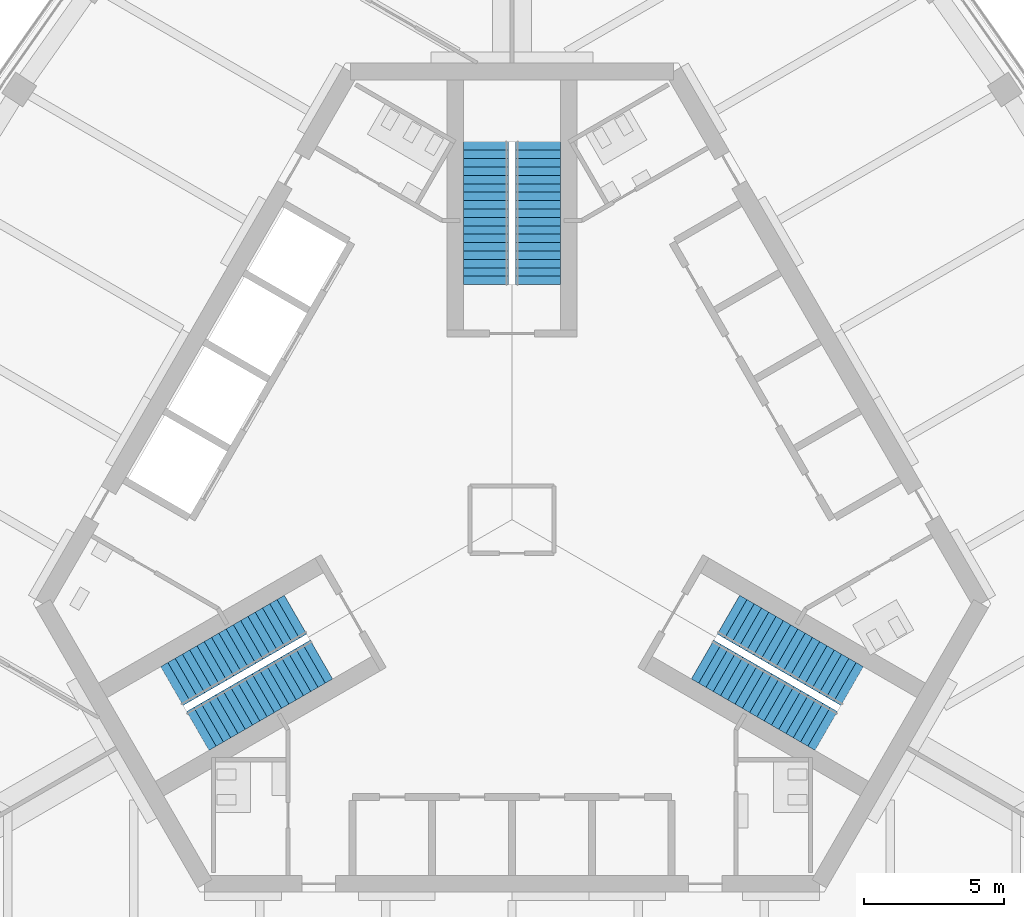
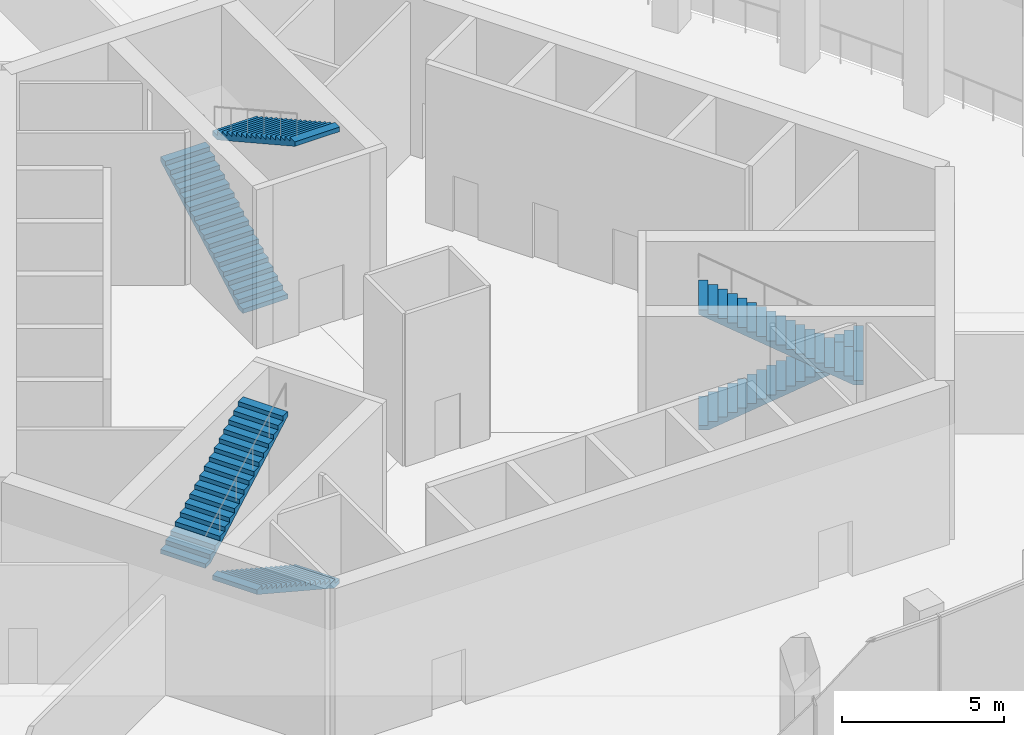
# One storey, part 11 of 15: 6 stair flights, 3 elements without a shape of their own.
"""IFC4 building model written with IfcOpenShell, lengths in metres."""

import ifcopenshell
import ifcopenshell.guid

model = None  # the IFC model being written
_history = None  # IfcOwnerHistory: only IFC2X3 demands one
_inside = {}  # id of a spatial element -> (the spatial element, [elements in it])
_under = {}  # id of a project, library or spatial element -> (it, [spatial elements below it])
_declared = {}  # id of a project -> (the project, [libraries it declares])
_typed = {}  # id of a type object -> (the type object, [elements of that type])
_made_of = {}  # id of a material, layer set ... -> (it, [elements and type objects made of it])


def new_model(schema):
    """Start an empty IFC model of exactly this schema.

    Asked for "IFC4X3", IfcOpenShell would pick the latest addendum, in which some entities
    have other attributes; the version numbers below select the first issue.
    IFC2X3 requires an IfcOwnerHistory on every rooted entity: one is made here for all.
    """
    global model, _history
    if schema == "IFC4X3":
        model = ifcopenshell.file(schema_version=(4, 3, 0, 0))
    else:
        model = ifcopenshell.file(schema=schema)
    _inside.clear()
    _under.clear()
    _declared.clear()
    _typed.clear()
    _made_of.clear()
    _history = None
    if model.schema == "IFC2X3":
        org = make("IfcOrganization", Name="unknown")
        user = make(
            "IfcPersonAndOrganization",
            ThePerson=make("IfcPerson", FamilyName="unknown"),
            TheOrganization=org,
        )
        app = make(
            "IfcApplication",
            ApplicationDeveloper=org,
            Version="unknown",
            ApplicationFullName="unknown",
            ApplicationIdentifier="unknown",
        )
        _history = make(
            "IfcOwnerHistory",
            OwningUser=user,
            OwningApplication=app,
            ChangeAction="ADDED",
            CreationDate=0,
        )
    return model


def make(cls, **values):
    """One entity of the class cls with the attributes given. An attribute that is None is left unset."""
    return model.create_entity(
        cls, **{name: value for name, value in values.items() if value is not None}
    )


def rooted(cls, **values):
    """An entity with a GlobalId (a new one), such as an element, a storey or a relation."""
    return make(cls, GlobalId=ifcopenshell.guid.new(), OwnerHistory=_history, **values)


def si_unit(unit_type, name, prefix=None):
    """IfcSIUnit, for example si_unit("LENGTHUNIT", "METRE", prefix="MILLI")."""
    return make("IfcSIUnit", UnitType=unit_type, Prefix=prefix, Name=name)


def assignment(units):
    """IfcUnitAssignment: the units of a project."""
    return None if units is None else make("IfcUnitAssignment", Units=units)


def point(xyz):
    """IfcCartesianPoint."""
    return None if xyz is None else make("IfcCartesianPoint", Coordinates=xyz)


def direction(xyz):
    """IfcDirection."""
    return None if xyz is None else make("IfcDirection", DirectionRatios=xyz)


def frame(location, z_axis=None, x_axis=None):
    """IfcAxis2Placement3D, a coordinate frame: its origin and axes. An axis left out is left unset."""
    return make(
        "IfcAxis2Placement3D",
        Location=point(location),
        Axis=direction(z_axis),
        RefDirection=direction(x_axis),
    )


def origin():
    """The frame at (0, 0, 0) with its axes left unset."""
    return frame((0.0, 0.0, 0.0))


def place(relative_to, where):
    """IfcLocalPlacement: puts the frame where relative to a parent placement (None: the world)."""
    return make(
        "IfcLocalPlacement", PlacementRelTo=relative_to, RelativePlacement=where
    )


def context(
    kind, dimensions, precision=None, world=None, true_north=None, identifier=None
):
    """IfcGeometricRepresentationContext, for example the 3D "Model" context."""
    return make(
        "IfcGeometricRepresentationContext",
        ContextIdentifier=identifier,
        ContextType=kind,
        CoordinateSpaceDimension=dimensions,
        Precision=precision,
        WorldCoordinateSystem=world,
        TrueNorth=true_north,
    )


def subcontext(parent, identifier, kind, view, scale=None):
    """IfcGeometricRepresentationSubContext, for example "Body" below "Model"."""
    return make(
        "IfcGeometricRepresentationSubContext",
        ContextIdentifier=identifier,
        ContextType=kind,
        ParentContext=parent,
        TargetScale=scale,
        TargetView=view,
    )


def project(units=None, contexts=None):
    """IfcProject with its units and contexts."""
    return rooted(
        "IfcProject",
        Name="project",
        RepresentationContexts=contexts,
        UnitsInContext=assignment(units),
    )


def spatial(cls, under=None, at=None, **own):
    """A site, building, storey or space (cls), placed at a placement, below another one or the project."""
    s = rooted(cls, ObjectPlacement=at, **own)
    if under is not None:
        _under.setdefault(under.id(), (under, []))[1].append(s)
    return s


def polyline(points):
    """IfcPolyline through the points."""
    return make("IfcPolyline", Points=[point(p) for p in points])


def outline(outer, holes=None, kind="AREA"):
    """IfcArbitraryClosedProfileDef: a profile drawn as a closed curve; with holes, ...WithVoids."""
    if holes is None:
        return make("IfcArbitraryClosedProfileDef", ProfileType=kind, OuterCurve=outer)
    return make(
        "IfcArbitraryProfileDefWithVoids",
        ProfileType=kind,
        OuterCurve=outer,
        InnerCurves=holes,
    )


def extrude(swept, where, along, depth):
    """IfcExtrudedAreaSolid: the profile swept, set in the frame where, extruded along a direction by depth."""
    return make(
        "IfcExtrudedAreaSolid",
        SweptArea=swept,
        Position=where,
        ExtrudedDirection=direction(along),
        Depth=depth,
    )


def shape(context_of_items, identifier, shape_type, items):
    """IfcShapeRepresentation: the items that make up one representation, for example the "Body"."""
    return make(
        "IfcShapeRepresentation",
        ContextOfItems=context_of_items,
        RepresentationIdentifier=identifier,
        RepresentationType=shape_type,
        Items=items,
    )


def material(Name=None, Category=None):
    """IfcMaterial."""
    return make("IfcMaterial", Name=Name, Category=Category)


def made_of(thing, what):
    """Note that an element or type object is made of a material, layer set ...; save() writes the relation."""
    if what is not None:
        _made_of.setdefault(what.id(), (what, []))[1].append(thing)
    return thing


def type_object(cls, material=None, **own):
    """A type object (cls), such as IfcWallType, which elements share."""
    return made_of(rooted(cls, **own), material)


def element(
    cls,
    number,
    at=None,
    inside=None,
    cuts=None,
    type_object=None,
    material=None,
    context=None,
    identifier="Body",
    shape_type=None,
    held_by="IfcProductDefinitionShape",
    body=None,
    shapes=None,
    **own,
):
    """One element of the class cls, such as IfcWall. Its Tag is "e" and its number.

    at: its placement. inside: the storey or other place that contains it. cuts: it is an
    opening in that element (IfcRelVoidsElement). A single representation is given by context,
    identifier, shape_type and body (its items); several are given by shapes. held_by: the class
    of the entity that holds the representations. save() writes the other relations.
    """
    e = rooted(cls, Tag="e%d" % number, ObjectPlacement=at, **own)
    if body is not None:
        shapes = [shape(context, identifier, shape_type, body)]
    if shapes is not None:
        e.Representation = make(held_by, Representations=shapes)
    if inside is not None:
        _inside.setdefault(inside.id(), (inside, []))[1].append(e)
    if cuts is not None:
        rooted(
            "IfcRelVoidsElement", RelatingBuildingElement=cuts, RelatedOpeningElement=e
        )
    if type_object is not None:
        _typed.setdefault(type_object.id(), (type_object, []))[1].append(e)
    return made_of(e, material)


def aggregate(whole, parts):
    """IfcRelAggregates: a whole, such as a stair, and the parts it consists of."""
    return rooted("IfcRelAggregates", RelatingObject=whole, RelatedObjects=parts)


def save(model, path):
    """Write the relations noted so far, then the file.

    IfcRelAggregates (storeys below a building ...), IfcRelContainedInSpatialStructure (elements
    in a storey), IfcRelDefinesByType, IfcRelAssociatesMaterial and IfcRelDeclares: one each for
    every whole, place, type object, material and project.
    """
    for whole, parts in _under.values():
        aggregate(whole, parts)
    for where, things in _inside.values():
        rooted(
            "IfcRelContainedInSpatialStructure",
            RelatedElements=things,
            RelatingStructure=where,
        )
    for kind, things in _typed.values():
        rooted("IfcRelDefinesByType", RelatedObjects=things, RelatingType=kind)
    for what, things in _made_of.values():
        rooted("IfcRelAssociatesMaterial", RelatedObjects=things, RelatingMaterial=what)
    for by, libraries in _declared.values():
        rooted("IfcRelDeclares", RelatingContext=by, RelatedDefinitions=libraries)
    model.write(path)


model = new_model("IFC4")

# Units and contexts
model_context = context("Model", 3, precision=1e-05, world=origin(), true_north=direction((0.0, 1.0)))
body_context = subcontext(model_context, "Body", "Model", "MODEL_VIEW")
ifc_project = project(units=[si_unit("LENGTHUNIT", "METRE"), si_unit("AREAUNIT", "SQUARE_METRE"), si_unit("VOLUMEUNIT", "CUBIC_METRE"), si_unit("PLANEANGLEUNIT", "RADIAN"), si_unit("MASSUNIT", "GRAM", prefix="KILO")], contexts=[model_context])

# Site, building, storey
site_placement = place(None, origin())
site = spatial("IfcSite", under=ifc_project, at=site_placement, CompositionType="ELEMENT")
building_placement = place(site_placement, origin())
building = spatial("IfcBuilding", under=site, at=building_placement, Name="Trefoil Bronze Tower", CompositionType="ELEMENT")
storey_placement = place(building_placement, frame((0.0, 0.0, 322.5)))
storey = spatial("IfcBuildingStorey", under=building, at=storey_placement, Name="L74", CompositionType="ELEMENT", Elevation=322.5)

# Stair, stair flights
ifc_material_1 = material(Name="Precast concrete B80", Category="concrete")
stair_type = type_object("IfcStairType", Name="Exit stair 36 risers", PredefinedType="HALF_TURN_STAIR", material=ifc_material_1)
stair_1_placement = place(storey_placement, origin())
stair_1 = element("IfcStair", 1, at=stair_1_placement, inside=storey, type_object=stair_type, Name="Stair ST1 L74", PredefinedType="HALF_TURN_STAIR")
ifc_material_2 = material(Name="Precast concrete B80", Category="concrete")
stair_flight_type = type_object("IfcStairFlightType", Name="Stair flight 1600", PredefinedType="STRAIGHT", material=ifc_material_2)
stair_flight_1_placement = place(storey_placement, frame((7.728515625, -3.39404296875, 0.0), z_axis=(0.0, 0.0, 1.0), x_axis=(0.866025403784, -0.5, 0.0)))
stair_flight_1 = element("IfcStairFlight", 2, at=stair_flight_1_placement, type_object=stair_flight_type, Name="ST1 flight 1", NumberOfRisers=18, NumberOfTreads=17, PredefinedType="STRAIGHT", RiserHeight=0.166666667, TreadLength=0.3, context=body_context, shape_type="SweptSolid", body=[
    extrude(outline(polyline([(0.0, 0.0), (0.0, 0.166748046875), (0.300048828125, 0.166748046875), (0.300048828125, 0.333251953125), (0.60009765625, 0.333251953125), (0.60009765625, 0.5), (0.89990234375, 0.5), (0.89990234375, 0.666748046875), (1.199951171875, 0.666748046875), (1.199951171875, 0.833251953125), (1.5, 0.833251953125), (1.5, 1.0), (1.800048828125, 1.0), (1.800048828125, 1.166748046875), (2.10009765625, 1.166748046875), (2.10009765625, 1.333251953125), (2.39990234375, 1.333251953125), (2.39990234375, 1.5), (2.699951171875, 1.5), (2.699951171875, 1.666748046875), (3.0, 1.666748046875), (3.0, 1.833251953125), (3.300048828125, 1.833251953125), (3.300048828125, 2.0), (3.60009765625, 2.0), (3.60009765625, 2.166748046875), (3.89990234375, 2.166748046875), (3.89990234375, 2.333251953125), (4.199951171875, 2.333251953125), (4.199951171875, 2.5), (4.5, 2.5), (4.5, 2.666748046875), (4.800048828125, 2.666748046875), (4.800048828125, 2.833251953125), (5.10009765625, 2.833251953125), (5.10009765625, 3.0), (5.10009765625, 2.661865234375), (0.30859375, 0.0), (0.0, 0.0)])), frame((0.0, 0.800048828125, 0.0), z_axis=(0.0, -1.0, 0.0), x_axis=(1.0, 0.0, 0.0)), (0.0, 0.0, 1.0), 1.60009765625),
])
stair_flight_2_placement = place(storey_placement, frame((11.22021484375, -7.546142578125, 3.0), z_axis=(0.0, 0.0, 1.0), x_axis=(-0.866025403784, 0.5, 0.0)))
stair_flight_2 = element("IfcStairFlight", 3, at=stair_flight_2_placement, type_object=stair_flight_type, Name="ST1 flight 2", NumberOfRisers=18, NumberOfTreads=17, PredefinedType="STRAIGHT", RiserHeight=0.166666667, TreadLength=0.3, context=body_context, shape_type="SweptSolid", body=[
    extrude(outline(polyline([(0.0, 0.0), (0.0, 0.166748046875), (0.300048828125, 0.166748046875), (0.300048828125, 0.333251953125), (0.60009765625, 0.333251953125), (0.60009765625, 0.5), (0.89990234375, 0.5), (0.89990234375, 0.666748046875), (1.199951171875, 0.666748046875), (1.199951171875, 0.833251953125), (1.5, 0.833251953125), (1.5, 1.0), (1.800048828125, 1.0), (1.800048828125, 1.166748046875), (2.10009765625, 1.166748046875), (2.10009765625, 1.333251953125), (2.39990234375, 1.333251953125), (2.39990234375, 1.5), (2.699951171875, 1.5), (2.699951171875, 1.666748046875), (3.0, 1.666748046875), (3.0, 1.833251953125), (3.300048828125, 1.833251953125), (3.300048828125, 2.0), (3.60009765625, 2.0), (3.60009765625, 2.166748046875), (3.89990234375, 2.166748046875), (3.89990234375, 2.333251953125), (4.199951171875, 2.333251953125), (4.199951171875, 2.5), (4.5, 2.5), (4.5, 2.666748046875), (4.800048828125, 2.666748046875), (4.800048828125, 2.833251953125), (5.10009765625, 2.833251953125), (5.10009765625, 3.0), (5.10009765625, 2.661865234375), (0.30859375, 0.0), (0.0, 0.0)])), frame((0.0, 0.800048828125, 0.0), z_axis=(0.0, -1.0, 0.0), x_axis=(1.0, 0.0, 0.0)), (0.0, 0.0, 1.0), 1.60009765625),
])
aggregate(stair_1, [stair_flight_1, stair_flight_2])

stair_2_placement = place(storey_placement, origin())
stair_2 = element("IfcStair", 4, at=stair_2_placement, inside=storey, type_object=stair_type, Name="Stair ST2 L74", PredefinedType="HALF_TURN_STAIR")
stair_flight_3_placement = place(storey_placement, frame((-0.925048828125, 8.389892578125, 0.0), z_axis=(0.0, 0.0, 1.0), x_axis=(0.0, 1.0, 0.0)))
stair_flight_3 = element("IfcStairFlight", 5, at=stair_flight_3_placement, type_object=stair_flight_type, Name="ST2 flight 1", NumberOfRisers=18, NumberOfTreads=17, PredefinedType="STRAIGHT", RiserHeight=0.166666667, TreadLength=0.3, context=body_context, shape_type="SweptSolid", body=[
    extrude(outline(polyline([(0.0, 0.0), (0.0, 0.166748046875), (0.300048828125, 0.166748046875), (0.300048828125, 0.333251953125), (0.60009765625, 0.333251953125), (0.60009765625, 0.5), (0.89990234375, 0.5), (0.89990234375, 0.666748046875), (1.199951171875, 0.666748046875), (1.199951171875, 0.833251953125), (1.5, 0.833251953125), (1.5, 1.0), (1.800048828125, 1.0), (1.800048828125, 1.166748046875), (2.10009765625, 1.166748046875), (2.10009765625, 1.333251953125), (2.39990234375, 1.333251953125), (2.39990234375, 1.5), (2.699951171875, 1.5), (2.699951171875, 1.666748046875), (3.0, 1.666748046875), (3.0, 1.833251953125), (3.300048828125, 1.833251953125), (3.300048828125, 2.0), (3.60009765625, 2.0), (3.60009765625, 2.166748046875), (3.89990234375, 2.166748046875), (3.89990234375, 2.333251953125), (4.199951171875, 2.333251953125), (4.199951171875, 2.5), (4.5, 2.5), (4.5, 2.666748046875), (4.800048828125, 2.666748046875), (4.800048828125, 2.833251953125), (5.10009765625, 2.833251953125), (5.10009765625, 3.0), (5.10009765625, 2.661865234375), (0.30859375, 0.0), (0.0, 0.0)])), frame((0.0, 0.800048828125, 0.0), z_axis=(0.0, -1.0, 0.0), x_axis=(1.0, 0.0, 0.0)), (0.0, 0.0, 1.0), 1.60009765625),
])
stair_flight_4_placement = place(storey_placement, frame((0.925048828125, 13.489990234375, 3.0), z_axis=(0.0, 0.0, 1.0), x_axis=(0.0, -1.0, 0.0)))
stair_flight_4 = element("IfcStairFlight", 6, at=stair_flight_4_placement, type_object=stair_flight_type, Name="ST2 flight 2", NumberOfRisers=18, NumberOfTreads=17, PredefinedType="STRAIGHT", RiserHeight=0.166666667, TreadLength=0.3, context=body_context, shape_type="SweptSolid", body=[
    extrude(outline(polyline([(0.0, 0.0), (0.0, 0.166748046875), (0.300048828125, 0.166748046875), (0.300048828125, 0.333251953125), (0.60009765625, 0.333251953125), (0.60009765625, 0.5), (0.89990234375, 0.5), (0.89990234375, 0.666748046875), (1.199951171875, 0.666748046875), (1.199951171875, 0.833251953125), (1.5, 0.833251953125), (1.5, 1.0), (1.800048828125, 1.0), (1.800048828125, 1.166748046875), (2.10009765625, 1.166748046875), (2.10009765625, 1.333251953125), (2.39990234375, 1.333251953125), (2.39990234375, 1.5), (2.699951171875, 1.5), (2.699951171875, 1.666748046875), (3.0, 1.666748046875), (3.0, 1.833251953125), (3.300048828125, 1.833251953125), (3.300048828125, 2.0), (3.60009765625, 2.0), (3.60009765625, 2.166748046875), (3.89990234375, 2.166748046875), (3.89990234375, 2.333251953125), (4.199951171875, 2.333251953125), (4.199951171875, 2.5), (4.5, 2.5), (4.5, 2.666748046875), (4.800048828125, 2.666748046875), (4.800048828125, 2.833251953125), (5.10009765625, 2.833251953125), (5.10009765625, 3.0), (5.10009765625, 2.661865234375), (0.30859375, 0.0), (0.0, 0.0)])), frame((0.0, 0.800048828125, 0.0), z_axis=(0.0, -1.0, 0.0), x_axis=(1.0, 0.0, 0.0)), (0.0, 0.0, 1.0), 1.60009765625),
])
aggregate(stair_2, [stair_flight_3, stair_flight_4])

stair_3_placement = place(storey_placement, origin())
stair_3 = element("IfcStair", 7, at=stair_3_placement, inside=storey, type_object=stair_type, Name="Stair ST3 L74", PredefinedType="HALF_TURN_STAIR")
stair_flight_5_placement = place(storey_placement, frame((-6.803466796875, -4.99609375, 0.0), z_axis=(0.0, 0.0, 1.0), x_axis=(-0.866025403784, -0.5, 0.0)))
stair_flight_5 = element("IfcStairFlight", 8, at=stair_flight_5_placement, type_object=stair_flight_type, Name="ST3 flight 1", NumberOfRisers=18, NumberOfTreads=17, PredefinedType="STRAIGHT", RiserHeight=0.166666667, TreadLength=0.3, context=body_context, shape_type="SweptSolid", body=[
    extrude(outline(polyline([(0.0, 0.0), (0.0, 0.166748046875), (0.300048828125, 0.166748046875), (0.300048828125, 0.333251953125), (0.60009765625, 0.333251953125), (0.60009765625, 0.5), (0.89990234375, 0.5), (0.89990234375, 0.666748046875), (1.199951171875, 0.666748046875), (1.199951171875, 0.833251953125), (1.5, 0.833251953125), (1.5, 1.0), (1.800048828125, 1.0), (1.800048828125, 1.166748046875), (2.10009765625, 1.166748046875), (2.10009765625, 1.333251953125), (2.39990234375, 1.333251953125), (2.39990234375, 1.5), (2.699951171875, 1.5), (2.699951171875, 1.666748046875), (3.0, 1.666748046875), (3.0, 1.833251953125), (3.300048828125, 1.833251953125), (3.300048828125, 2.0), (3.60009765625, 2.0), (3.60009765625, 2.166748046875), (3.89990234375, 2.166748046875), (3.89990234375, 2.333251953125), (4.199951171875, 2.333251953125), (4.199951171875, 2.5), (4.5, 2.5), (4.5, 2.666748046875), (4.800048828125, 2.666748046875), (4.800048828125, 2.833251953125), (5.10009765625, 2.833251953125), (5.10009765625, 3.0), (5.10009765625, 2.661865234375), (0.30859375, 0.0), (0.0, 0.0)])), frame((0.0, 0.800048828125, 0.0), z_axis=(0.0, -1.0, 0.0), x_axis=(1.0, 0.0, 0.0)), (0.0, 0.0, 1.0), 1.60009765625),
])
stair_flight_6_placement = place(storey_placement, frame((-12.145263671875, -5.94384765625, 3.0), z_axis=(0.0, 0.0, 1.0), x_axis=(0.866025403784, 0.5, 0.0)))
stair_flight_6 = element("IfcStairFlight", 9, at=stair_flight_6_placement, type_object=stair_flight_type, Name="ST3 flight 2", NumberOfRisers=18, NumberOfTreads=17, PredefinedType="STRAIGHT", RiserHeight=0.166666667, TreadLength=0.3, context=body_context, shape_type="SweptSolid", body=[
    extrude(outline(polyline([(0.0, 0.0), (0.0, 0.166748046875), (0.300048828125, 0.166748046875), (0.300048828125, 0.333251953125), (0.60009765625, 0.333251953125), (0.60009765625, 0.5), (0.89990234375, 0.5), (0.89990234375, 0.666748046875), (1.199951171875, 0.666748046875), (1.199951171875, 0.833251953125), (1.5, 0.833251953125), (1.5, 1.0), (1.800048828125, 1.0), (1.800048828125, 1.166748046875), (2.10009765625, 1.166748046875), (2.10009765625, 1.333251953125), (2.39990234375, 1.333251953125), (2.39990234375, 1.5), (2.699951171875, 1.5), (2.699951171875, 1.666748046875), (3.0, 1.666748046875), (3.0, 1.833251953125), (3.300048828125, 1.833251953125), (3.300048828125, 2.0), (3.60009765625, 2.0), (3.60009765625, 2.166748046875), (3.89990234375, 2.166748046875), (3.89990234375, 2.333251953125), (4.199951171875, 2.333251953125), (4.199951171875, 2.5), (4.5, 2.5), (4.5, 2.666748046875), (4.800048828125, 2.666748046875), (4.800048828125, 2.833251953125), (5.10009765625, 2.833251953125), (5.10009765625, 3.0), (5.10009765625, 2.661865234375), (0.30859375, 0.0), (0.0, 0.0)])), frame((0.0, 0.800048828125, 0.0), z_axis=(0.0, -1.0, 0.0), x_axis=(1.0, 0.0, 0.0)), (0.0, 0.0, 1.0), 1.60009765625),
])
aggregate(stair_3, [stair_flight_5, stair_flight_6])

save(model, "model.ifc")
